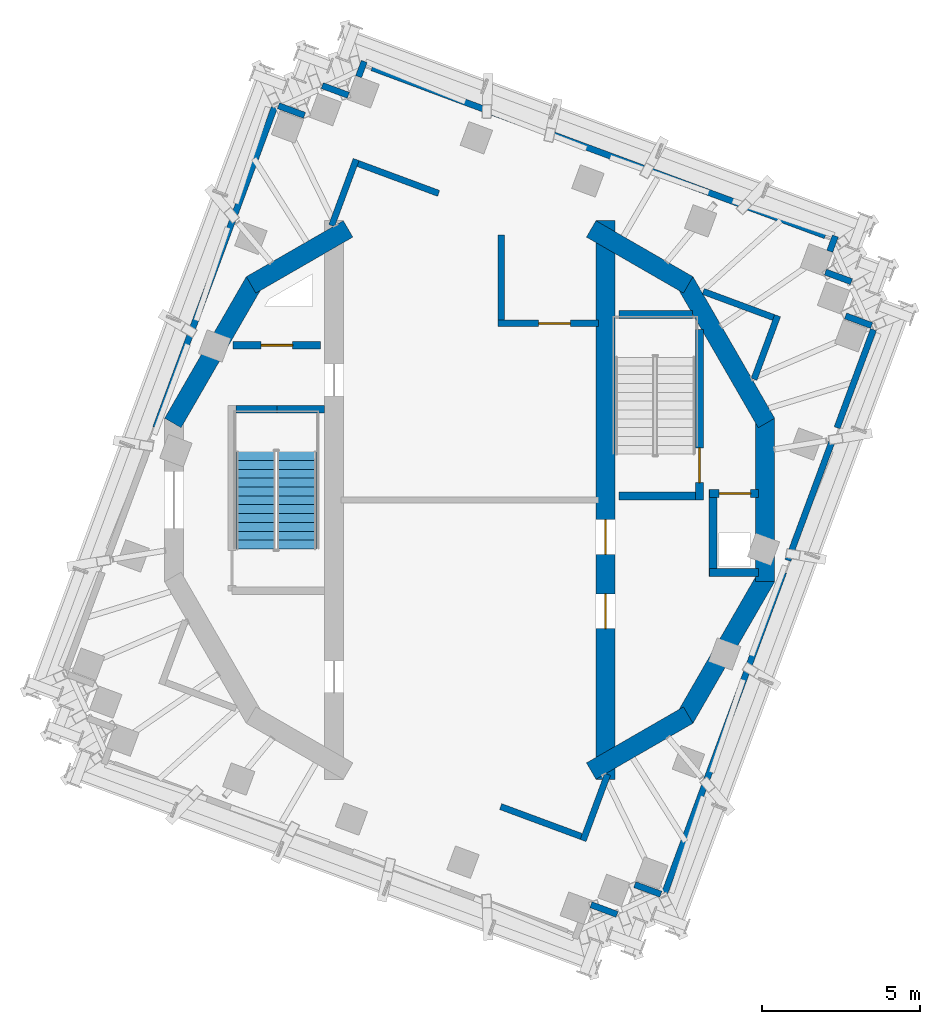
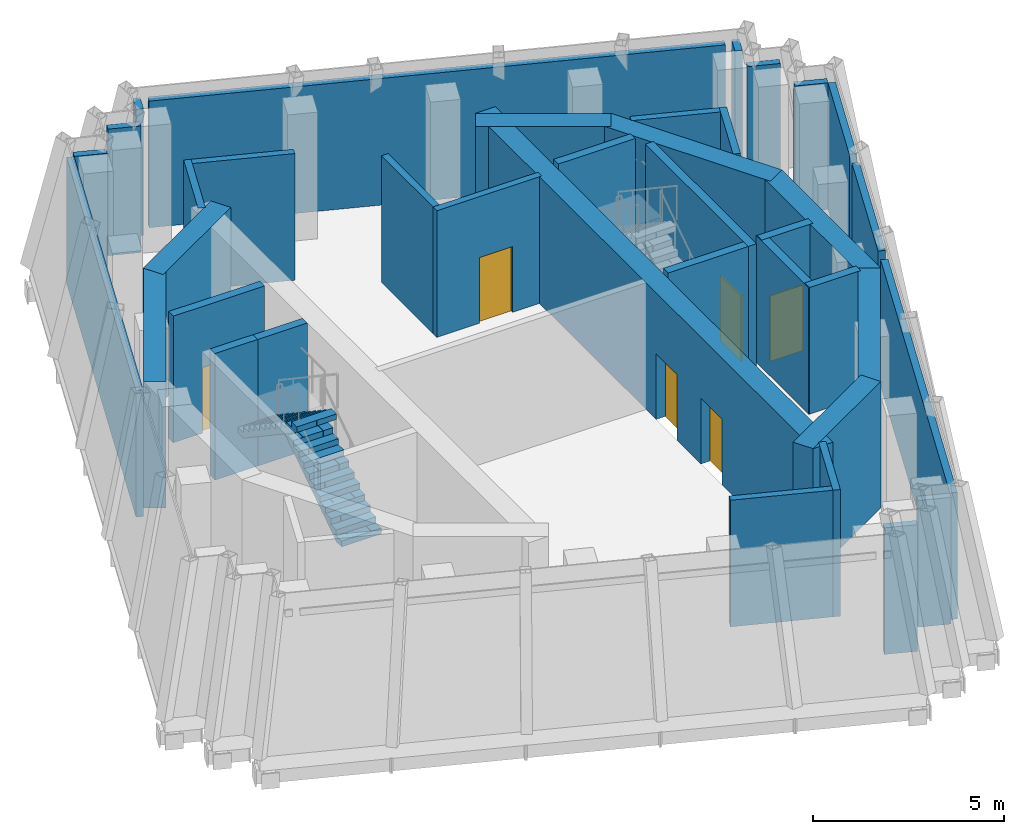
# One storey, part 5 of 11: 38 walls, 6 doors, 2 stair flights, 6 openings, 1 element without a shape of its own.
"""IFC4 building model written with IfcOpenShell, lengths in metres."""

from ifc_helpers import new_model, si_unit, direction, frame, frame_2d, origin, place, context, subcontext, project, spatial, polyline, rectangle, outline, extrude, material, layer, layer_set, type_object, element, fill, aggregate, save


model = new_model("IFC4")

# Units and contexts
model_context = context("Model", 3, precision=1e-05, world=origin(), true_north=direction((0.0, 1.0)))
body_context = subcontext(model_context, "Body", "Model", "MODEL_VIEW")
ifc_project = project(units=[si_unit("LENGTHUNIT", "METRE"), si_unit("AREAUNIT", "SQUARE_METRE"), si_unit("VOLUMEUNIT", "CUBIC_METRE"), si_unit("PLANEANGLEUNIT", "RADIAN"), si_unit("MASSUNIT", "GRAM", prefix="KILO")], contexts=[model_context])

# Site, building, storey
site_placement = place(None, origin())
site = spatial("IfcSite", under=ifc_project, at=site_placement, CompositionType="ELEMENT")
building_placement = place(site_placement, origin())
building = spatial("IfcBuilding", under=site, at=building_placement, Name="Cantera Rosa Tower", CompositionType="ELEMENT")
storey_placement = place(building_placement, frame((0.0, 0.0, 369.699951171875)))
storey = spatial("IfcBuildingStorey", under=building, at=storey_placement, Name="L83", CompositionType="ELEMENT", Elevation=369.699951171875)

# Walls
ifc_material_1 = material(Name="Masonry blockwork", Category="masonry")
ifc_layer_1 = layer(ifc_material_1, 0.199951171875)
ifc_layer_set_1 = layer_set([ifc_layer_1], Name="Blockwork partition 200")
wall_type_1 = type_object("IfcWallType", Name="Blockwork partition 200", PredefinedType="PARTITIONING", material=ifc_layer_set_1)
wall_1_placement = place(storey_placement, frame((4.6669921875, -13.122314453125, 0.0), z_axis=(0.0, 0.0, 1.0), x_axis=(-0.937735373465, 0.347350499283, 0.0)))
element("IfcWall", 1, at=wall_1_placement, inside=storey, type_object=wall_type_1, Name="Partition L83-1", PredefinedType="PARTITIONING", context=body_context, shape_type="SweptSolid", body=[
    extrude(rectangle(XDim=0.8798828125, YDim=0.199951171875, at=frame_2d((0.43994140625, 0.0))), origin(), (0.0, 0.0, 1.0), 4.050048828125),
])
for number, where, z_axis, x_axis, name in (
    (2, (11.40283203125, 7.875, 0.0), (0.0, 0.0, 1.0), (0.347960985741, 0.937509014571, 0.0), "Partition L83-4"),
    (3, (-3.517578125, 13.404052734375, 0.0), (0.0, 0.0, 1.0), (0.347545352018, 0.937663174221, 0.0), "Partition L83-7"),
):
    element("IfcWall", number, at=place(storey_placement, frame(where, z_axis=z_axis, x_axis=x_axis)), inside=storey, type_object=wall_type_1, Name=name, PredefinedType="PARTITIONING", context=body_context, shape_type="SweptSolid", body=[
        extrude(rectangle(XDim=0.516357421875, YDim=0.199951171875, at=frame_2d((0.25830078125, 0.0))), origin(), (0.0, 0.0, 1.0), 4.050048828125),
    ])
wall_2_placement = place(storey_placement, frame((6.054931640625, -12.485107421875, 0.0), z_axis=(0.0, 0.0, 1.0), x_axis=(-0.937644983039, 0.347594427144, 0.0)))
element("IfcWall", 4, at=wall_2_placement, inside=storey, type_object=wall_type_1, Name="Partition L83-8", PredefinedType="PARTITIONING", context=body_context, shape_type="SweptSolid", body=[
    extrude(rectangle(XDim=0.880126953125, YDim=0.199951171875, at=frame_2d((0.43994140625, 0.0))), origin(), (0.0, 0.0, 1.0), 4.050048828125),
])
wall_3_placement = place(storey_placement, frame((-9.940673828125, 2.28759765625, 0.0), z_axis=(0.0, 0.0, 1.0), x_axis=(0.347485703019, 0.937685280997, 0.0)))
element("IfcWall", 5, at=wall_3_placement, inside=storey, type_object=wall_type_1, Name="Partition L83-12", PredefinedType="PARTITIONING", context=body_context, shape_type="SweptSolid", body=[
    extrude(rectangle(XDim=10.812255859375, YDim=0.199951171875, at=frame_2d((5.40625, 0.0))), origin(), (0.0, 0.0, 1.0), 4.050048828125),
])
for number, where, z_axis, x_axis, name in (
    (6, (12.728759765625, 5.524169921875, 0.0), (0.0, 0.0, 1.0), (-0.937644983039, 0.347594427144, 0.0), "Partition L83-13"),
    (7, (-5.229736328125, 12.17919921875, 0.0), (0.0, 0.0, 1.0), (-0.937644983039, 0.347594427144, 0.0), "Partition L83-14"),
    (8, (12.09130859375, 6.912109375, 0.0), (0.0, 0.0, 1.0), (-0.937644983039, 0.347594427144, 0.0), "Partition L83-15"),
):
    element("IfcWall", number, at=place(storey_placement, frame(where, z_axis=z_axis, x_axis=x_axis)), inside=storey, type_object=wall_type_1, Name=name, PredefinedType="PARTITIONING", context=body_context, shape_type="SweptSolid", body=[
        extrude(rectangle(XDim=0.880126953125, YDim=0.199951171875, at=frame_2d((0.43994140625, 0.0))), origin(), (0.0, 0.0, 1.0), 4.050048828125),
    ])
wall_4_placement = place(storey_placement, frame((-3.841796875, 12.816650390625, 0.0), z_axis=(0.0, 0.0, 1.0), x_axis=(-0.937735373465, 0.347350499283, 0.0)))
element("IfcWall", 9, at=wall_4_placement, inside=storey, type_object=wall_type_1, Name="Partition L83-16", PredefinedType="PARTITIONING", context=body_context, shape_type="SweptSolid", body=[
    extrude(rectangle(XDim=0.8798828125, YDim=0.199951171875, at=frame_2d((0.43994140625, 0.0))), origin(), (0.0, 0.0, 1.0), 4.050048828125),
])
wall_5_placement = place(storey_placement, frame((11.266357421875, 8.36962890625, 0.0), z_axis=(0.0, 0.0, 1.0), x_axis=(-0.937688931354, 0.347475852423, 0.0)))
element("IfcWall", 10, at=wall_5_placement, inside=storey, type_object=wall_type_1, Name="Partition L83-17", PredefinedType="PARTITIONING", context=body_context, shape_type="SweptSolid", body=[
    extrude(rectangle(XDim=15.31201171875, YDim=0.199951171875, at=frame_2d((7.656005859375, 0.0))), origin(), (0.0, 0.0, 1.0), 4.050048828125),
])
wall_6_placement = place(storey_placement, frame((6.18359375, -12.426025390625, 0.0), z_axis=(0.0, 0.0, 1.0), x_axis=(0.347485703019, 0.937685280997, 0.0)))
element("IfcWall", 11, at=wall_6_placement, inside=storey, type_object=wall_type_1, Name="Partition L83-18", PredefinedType="PARTITIONING", context=body_context, shape_type="SweptSolid", body=[
    extrude(rectangle(XDim=10.812255859375, YDim=0.199951171875, at=frame_2d((5.40625, 0.0))), origin(), (0.0, 0.0, 1.0), 4.050048828125),
])
wall_7_placement = place(storey_placement, frame((10.07958984375, -1.912353515625, 0.0), z_axis=(0.0, 0.0, 1.0), x_axis=(0.347493685253, 0.937682322916, 0.0)))
element("IfcWall", 12, at=wall_7_placement, inside=storey, type_object=wall_type_1, Name="Partition L83-19", PredefinedType="PARTITIONING", context=body_context, shape_type="SweptSolid", body=[
    extrude(rectangle(XDim=4.0791015625, YDim=0.199951171875, at=frame_2d((2.03955078125, 0.0))), origin(), (0.0, 0.0, 1.0), 4.050048828125),
])
wall_8_placement = place(storey_placement, frame((11.635986328125, 2.28759765625, 0.0), z_axis=(0.0, 0.0, 1.0), x_axis=(0.347496661373, 0.937681219997, 0.0)))
element("IfcWall", 13, at=wall_8_placement, inside=storey, type_object=wall_type_1, Name="Partition L83-20", PredefinedType="PARTITIONING", context=body_context, shape_type="SweptSolid", body=[
    extrude(rectangle(XDim=3.314697265625, YDim=0.199951171875, at=frame_2d((1.6572265625, 0.0))), origin(), (0.0, 0.0, 1.0), 4.050048828125),
])
wall_9_placement = place(storey_placement, frame((9.623779296875, 5.779052734375, 0.0), z_axis=(0.0, 0.0, 1.0), x_axis=(-0.937700349414, 0.347445038399, 0.0)))
element("IfcWall", 14, at=wall_9_placement, inside=storey, type_object=wall_type_1, Name="Partition L83-21", PredefinedType="PARTITIONING", context=body_context, shape_type="SweptSolid", body=[
    extrude(rectangle(XDim=2.373046875, YDim=0.199951171875, at=frame_2d((1.1865234375, 0.0))), origin(), (0.0, 0.0, 1.0), 4.050048828125),
])
wall_10_placement = place(storey_placement, frame((-0.982177734375, 9.709228515625, 0.0), z_axis=(0.0, 0.0, 1.0), x_axis=(-0.937682724109, 0.347492602667, 0.0)))
element("IfcWall", 15, at=wall_10_placement, inside=storey, type_object=wall_type_1, Name="Partition L83-22", PredefinedType="PARTITIONING", context=body_context, shape_type="SweptSolid", body=[
    extrude(rectangle(XDim=2.72119140625, YDim=0.199951171875, at=frame_2d((1.360595703125, 0.0))), origin(), (0.0, 0.0, 1.0), 4.050048828125),
])
wall_11_placement = place(storey_placement, frame((-4.368896484375, 8.688720703125, 0.0), z_axis=(0.0, 0.0, 1.0), x_axis=(0.34733571351, 0.937740850193, 0.0)))
element("IfcWall", 16, at=wall_11_placement, inside=storey, type_object=wall_type_1, Name="Partition L83-24", PredefinedType="PARTITIONING", context=body_context, shape_type="SweptSolid", body=[
    extrude(rectangle(XDim=2.23388671875, YDim=0.199951171875, at=frame_2d((1.116943359375, 0.0))), origin(), (0.0, 0.0, 1.0), 4.050048828125),
])
wall_12_placement = place(storey_placement, frame((3.53369140625, -10.65478515625, 0.0), z_axis=(0.0, 0.0, 1.0), x_axis=(-0.937682724109, 0.347492602667, 0.0)))
element("IfcWall", 17, at=wall_12_placement, inside=storey, type_object=wall_type_1, Name="Partition L83-25", PredefinedType="PARTITIONING", context=body_context, shape_type="SweptSolid", body=[
    extrude(rectangle(XDim=2.72119140625, YDim=0.199951171875, at=frame_2d((1.360595703125, 0.0))), origin(), (0.0, 0.0, 1.0), 4.050048828125),
])
wall_13_placement = place(storey_placement, frame((3.593017578125, -10.783447265625, 0.0), z_axis=(0.0, 0.0, 1.0), x_axis=(0.34733571351, 0.937740850193, 0.0)))
element("IfcWall", 18, at=wall_13_placement, inside=storey, type_object=wall_type_1, Name="Partition L83-27", PredefinedType="PARTITIONING", context=body_context, shape_type="SweptSolid", body=[
    extrude(rectangle(XDim=2.23388671875, YDim=0.199951171875, at=frame_2d((1.116943359375, 0.0))), origin(), (0.0, 0.0, 1.0), 4.050048828125),
])
wall_14_placement = place(storey_placement, frame((9.0048828125, 3.8212890625, 0.0), z_axis=(0.0, 0.0, 1.0), x_axis=(0.347488123432, 0.937684384041, 0.0)))
element("IfcWall", 19, at=wall_14_placement, inside=storey, type_object=wall_type_1, Name="Partition L83-28", PredefinedType="PARTITIONING", context=body_context, shape_type="SweptSolid", body=[
    extrude(rectangle(XDim=2.150634765625, YDim=0.199951171875, at=frame_2d((1.0751953125, 0.0))), origin(), (0.0, 0.0, 1.0), 4.050048828125),
])

# Wall, opening, door
wall_15_placement = place(storey_placement, frame((0.89990234375, 5.593994140625, 0.0), z_axis=(0.0, 0.0, 1.0), x_axis=(1.0, 0.0, 0.0)))
wall_15 = element("IfcWall", 20, at=wall_15_placement, inside=storey, type_object=wall_type_1, Name="Partition L83-STORE-A", PredefinedType="PARTITIONING", context=body_context, shape_type="SweptSolid", body=[
    extrude(rectangle(XDim=3.175048828125, YDim=0.199951171875, at=frame_2d((1.58740234375, 0.0))), origin(), (0.0, 0.0, 1.0), 4.050048828125),
])
opening_1_placement = place(wall_15_placement, frame((1.28759765625, 0.0, 0.0)))
opening_1 = element("IfcOpeningElement", 21, at=opening_1_placement, cuts=wall_15, Name="Opening L83-ST", PredefinedType="OPENING", context=body_context, shape_type="SweptSolid", body=[
    extrude(rectangle(XDim=1.0, YDim=2.10009765625, at=frame_2d((0.5, 1.050048828125))), frame((0.0, 0.10986328125, 0.0), z_axis=(0.0, -1.0, 0.0), x_axis=(1.0, 0.0, 0.0)), (0.0, 0.0, 1.0), 0.219970703125),
])
ifc_material_2 = material(Name="Timber", Category="wood")
door_type_1 = type_object("IfcDoorType", Name="Door 1000x2100", OperationType="NOTDEFINED", PredefinedType="DOOR", material=ifc_material_2)
door_1_placement = place(opening_1_placement, origin())
door_1 = element("IfcDoor", 22, at=door_1_placement, inside=storey, type_object=door_type_1, Name="Door L83-ST", OverallHeight=2.10009765625, OverallWidth=1.0, PredefinedType="DOOR", context=body_context, shape_type="SweptSolid", body=[
    extrude(rectangle(XDim=1.0, YDim=2.10009765625, at=frame_2d((0.5, 1.050048828125))), frame((0.0, 0.02490234375, 0.0), z_axis=(0.0, -1.0, 0.0), x_axis=(1.0, 0.0, 0.0)), (0.0, 0.0, 1.0), 0.050048828125),
])
fill(opening_1, door_1)

# Wall
wall_16_placement = place(storey_placement, frame((1.0, 5.694091796875, 0.0), z_axis=(0.0, 0.0, 1.0), x_axis=(0.0, 1.0, 0.0)))
element("IfcWall", 23, at=wall_16_placement, inside=storey, type_object=wall_type_1, Name="Partition L83-STORE-B", PredefinedType="PARTITIONING", context=body_context, shape_type="SweptSolid", body=[
    extrude(rectangle(XDim=2.699951171875, YDim=0.199951171875, at=frame_2d((1.35009765625, 0.0))), origin(), (0.0, 0.0, 1.0), 4.050048828125),
])

# Wall, opening, door
ifc_material_3 = material(Name="Masonry blockwork", Category="masonry")
ifc_layer_2 = layer(ifc_material_3, 0.25)
ifc_layer_set_2 = layer_set([ifc_layer_2], Name="Fire-rated wall 250")
wall_type_2 = type_object("IfcWallType", Name="Fire-rated wall 250", PredefinedType="PARTITIONING", material=ifc_layer_set_2)
wall_17_placement = place(storey_placement, frame((-7.4873046875, 4.89990234375, 0.0), z_axis=(0.0, 0.0, 1.0), x_axis=(1.0, 0.0, 0.0)))
wall_17 = element("IfcWall", 24, at=wall_17_placement, inside=storey, type_object=wall_type_2, Name="Fire wall L83-SVC", PredefinedType="PARTITIONING", context=body_context, shape_type="SweptSolid", body=[
    extrude(rectangle(XDim=2.76220703125, YDim=0.25, at=frame_2d((1.381103515625, 0.0))), origin(), (0.0, 0.0, 1.0), 4.050048828125),
])
opening_2_placement = place(wall_17_placement, frame((0.881103515625, 0.0, 0.0)))
opening_2 = element("IfcOpeningElement", 25, at=opening_2_placement, cuts=wall_17, Name="Opening L83-SV", PredefinedType="OPENING", context=body_context, shape_type="SweptSolid", body=[
    extrude(rectangle(XDim=1.0, YDim=2.10009765625, at=frame_2d((0.5, 1.050048828125))), frame((0.0, 0.135009765625, 0.0), z_axis=(0.0, -1.0, 0.0), x_axis=(1.0, 0.0, 0.0)), (0.0, 0.0, 1.0), 0.27001953125),
])
ifc_material_4 = material(Name="Steel S355J2 (EN 10025-2)", Category="steel")
door_type_2 = type_object("IfcDoorType", Name="Fire door 1000x2100", OperationType="NOTDEFINED", PredefinedType="DOOR", material=ifc_material_4)
door_2_placement = place(opening_2_placement, origin())
door_2 = element("IfcDoor", 26, at=door_2_placement, inside=storey, type_object=door_type_2, Name="Door L83-SV", OverallHeight=2.10009765625, OverallWidth=1.0, PredefinedType="DOOR", context=body_context, shape_type="SweptSolid", body=[
    extrude(rectangle(XDim=1.0, YDim=2.10009765625, at=frame_2d((0.5, 1.050048828125))), frame((0.0, 0.02490234375, 0.0), z_axis=(0.0, -1.0, 0.0), x_axis=(1.0, 0.0, 0.0)), (0.0, 0.0, 1.0), 0.050048828125),
])
fill(opening_2, door_2)

wall_18_placement = place(storey_placement, frame((7.60009765625, 0.199951171875, 0.0), z_axis=(0.0, 0.0, 1.0), x_axis=(1.0, 0.0, 0.0)))
wall_18 = element("IfcWall", 27, at=wall_18_placement, inside=storey, type_object=wall_type_2, Name="Fire wall L83-RISER-N", PredefinedType="PARTITIONING", context=body_context, shape_type="SweptSolid", body=[
    extrude(rectangle(XDim=1.5498046875, YDim=0.25, at=frame_2d((0.77490234375, 0.0))), origin(), (0.0, 0.0, 1.0), 4.050048828125),
])
opening_3_placement = place(wall_18_placement, frame((0.300048828125, 0.0, 0.0)))
opening_3 = element("IfcOpeningElement", 28, at=opening_3_placement, cuts=wall_18, Name="Opening L83-RF", PredefinedType="OPENING", context=body_context, shape_type="SweptSolid", body=[
    extrude(rectangle(XDim=1.0, YDim=2.10009765625, at=frame_2d((0.5, 1.050048828125))), frame((0.0, 0.135009765625, 0.0), z_axis=(0.0, -1.0, 0.0), x_axis=(1.0, 0.0, 0.0)), (0.0, 0.0, 1.0), 0.27001953125),
])
door_3_placement = place(opening_3_placement, origin())
door_3 = element("IfcDoor", 29, at=door_3_placement, inside=storey, type_object=door_type_2, Name="Door L83-RF", OverallHeight=2.10009765625, OverallWidth=1.0, PredefinedType="DOOR", context=body_context, shape_type="SweptSolid", body=[
    extrude(rectangle(XDim=1.0, YDim=2.10009765625, at=frame_2d((0.5, 1.050048828125))), frame((0.0, 0.02490234375, 0.0), z_axis=(0.0, -1.0, 0.0), x_axis=(1.0, 0.0, 0.0)), (0.0, 0.0, 1.0), 0.050048828125),
])
fill(opening_3, door_3)

# Walls
wall_19_placement = place(storey_placement, frame((7.699951171875, -2.425048828125, 0.0), z_axis=(0.0, 0.0, 1.0), x_axis=(0.0, 1.0, 0.0)))
element("IfcWall", 30, at=wall_19_placement, inside=storey, type_object=wall_type_2, Name="Fire wall L83-RISER-W", PredefinedType="PARTITIONING", context=body_context, shape_type="SweptSolid", body=[
    extrude(rectangle(XDim=2.75, YDim=0.25, at=frame_2d((1.375, 0.0))), origin(), (0.0, 0.0, 1.0), 4.050048828125),
])
wall_20_placement = place(storey_placement, frame((7.60009765625, -2.300048828125, 0.0), z_axis=(0.0, 0.0, 1.0), x_axis=(1.0, 0.0, 0.0)))
element("IfcWall", 31, at=wall_20_placement, inside=storey, type_object=wall_type_2, Name="Fire wall L83-RISER-S", PredefinedType="PARTITIONING", context=body_context, shape_type="SweptSolid", body=[
    extrude(rectangle(XDim=1.5498046875, YDim=0.25, at=frame_2d((0.77490234375, 0.0))), origin(), (0.0, 0.0, 1.0), 4.050048828125),
])
ifc_material_5 = material(Name="Concrete C50/60", Category="concrete")
ifc_layer_3 = layer(ifc_material_5, 0.60009765625)
ifc_layer_set_3 = layer_set([ifc_layer_3], Name="RC CORE WALL 600 C50/60")
wall_type_3 = type_object("IfcWallType", Name="RC CORE WALL 600 C50/60", PredefinedType="SHEAR", material=ifc_layer_set_3)
wall_21_placement = place(storey_placement, frame((-9.3994140625, 2.438232421875, 0.0), z_axis=(0.0, 0.0, 1.0), x_axis=(0.499989188378, 0.866031645787, 0.0)))
element("IfcWall", 32, at=wall_21_placement, inside=storey, type_object=wall_type_3, Name="CW-W4 L83", PredefinedType="SHEAR", context=body_context, shape_type="SweptSolid", body=[
    extrude(rectangle(XDim=5.17626953125, YDim=0.60009765625, at=frame_2d((2.588134765625, 0.0))), origin(), (0.0, 0.0, 1.0), 4.050048828125),
])
for number, where, z_axis, x_axis, name in (
    (33, (-6.921142578125, 6.811279296875, 0.0), (0.0, 0.0, 1.0), (0.866039982607, 0.499974747889, 0.0), "CW-W5 L83"),
    (34, (3.85009765625, 8.584228515625, 0.0), (0.0, 0.0, 1.0), (0.866039982607, -0.499974747889, 0.0), "CW-E1 L83"),
):
    element("IfcWall", number, at=place(storey_placement, frame(where, z_axis=z_axis, x_axis=x_axis)), inside=storey, type_object=wall_type_3, Name=name, PredefinedType="SHEAR", context=body_context, shape_type="SweptSolid", body=[
        extrude(rectangle(XDim=3.546142578125, YDim=0.60009765625, at=frame_2d((1.77294921875, 0.0))), origin(), (0.0, 0.0, 1.0), 4.050048828125),
    ])
for number, where, z_axis, x_axis, name in (
    (35, (6.811279296875, 6.921142578125, 0.0), (0.0, 0.0, 1.0), (0.499989188378, -0.866031645787, 0.0), "CW-E2 L83"),
    (36, (9.359375, 2.588134765625, 0.0), (0.0, 0.0, 1.0), (0.0, -1.0, 0.0), "CW-E3 L83"),
    (37, (9.3994140625, -2.438232421875, 0.0), (0.0, 0.0, 1.0), (-0.499989188378, -0.866031645787, 0.0), "CW-E4 L83"),
):
    element("IfcWall", number, at=place(storey_placement, frame(where, z_axis=z_axis, x_axis=x_axis)), inside=storey, type_object=wall_type_3, Name=name, PredefinedType="SHEAR", context=body_context, shape_type="SweptSolid", body=[
        extrude(rectangle(XDim=5.17626953125, YDim=0.60009765625, at=frame_2d((2.588134765625, 0.0))), origin(), (0.0, 0.0, 1.0), 4.050048828125),
    ])
wall_22_placement = place(storey_placement, frame((6.921142578125, -6.811279296875, 0.0), z_axis=(0.0, 0.0, 1.0), x_axis=(-0.866039982607, -0.499974747889, 0.0)))
element("IfcWall", 38, at=wall_22_placement, inside=storey, type_object=wall_type_3, Name="CW-E5 L83", PredefinedType="SHEAR", context=body_context, shape_type="SweptSolid", body=[
    extrude(rectangle(XDim=3.546142578125, YDim=0.60009765625, at=frame_2d((1.77294921875, 0.0))), origin(), (0.0, 0.0, 1.0), 4.050048828125),
])

# Wall, openings, doors
wall_23_placement = place(storey_placement, frame((4.300048828125, -8.84423828125, 0.0), z_axis=(0.0, 0.0, 1.0), x_axis=(0.0, 1.0, 0.0)))
wall_23 = element("IfcWall", 39, at=wall_23_placement, inside=storey, type_object=wall_type_3, Name="CW-E6 L83", PredefinedType="SHEAR", context=body_context, shape_type="SweptSolid", body=[
    extrude(rectangle(XDim=17.6884765625, YDim=0.60009765625, at=frame_2d((8.84423828125, 0.0))), origin(), (0.0, 0.0, 1.0), 4.050048828125),
])
opening_4_placement = place(wall_23_placement, frame((4.76904296875, 0.0, 0.0)))
opening_4 = element("IfcOpeningElement", 40, at=opening_4_placement, cuts=wall_23, Name="Opening LD-FF1-L83", PredefinedType="OPENING", context=body_context, shape_type="SweptSolid", body=[
    extrude(rectangle(XDim=1.10009765625, YDim=2.10009765625, at=frame_2d((0.550048828125, 1.050048828125))), frame((0.0, 0.31005859375, 0.0), z_axis=(0.0, -1.0, 0.0), x_axis=(1.0, 0.0, 0.0)), (0.0, 0.0, 1.0), 0.6201171875),
])
opening_5_placement = place(wall_23_placement, frame((7.119140625, 0.0, 0.0)))
opening_5 = element("IfcOpeningElement", 41, at=opening_5_placement, cuts=wall_23, Name="Opening LD-FF2-L83", PredefinedType="OPENING", context=body_context, shape_type="SweptSolid", body=[
    extrude(rectangle(XDim=1.10009765625, YDim=2.10009765625, at=frame_2d((0.550048828125, 1.050048828125))), frame((0.0, 0.31005859375, 0.0), z_axis=(0.0, -1.0, 0.0), x_axis=(1.0, 0.0, 0.0)), (0.0, 0.0, 1.0), 0.6201171875),
])
ifc_material_6 = material(Name="Steel S355J2 (EN 10025-2)", Category="steel")
door_type_3 = type_object("IfcDoorType", Name="LANDING DOOR 1100x2100", OperationType="NOTDEFINED", PredefinedType="DOOR", material=ifc_material_6)
door_4_placement = place(opening_4_placement, origin())
door_4 = element("IfcDoor", 42, at=door_4_placement, inside=storey, type_object=door_type_3, Name="LANDING DOOR FF1 L83", OperationType="SLIDING_TO_LEFT", OverallHeight=2.10009765625, OverallWidth=1.10009765625, PredefinedType="DOOR", context=body_context, shape_type="SweptSolid", body=[
    extrude(rectangle(XDim=1.10009765625, YDim=2.10009765625, at=frame_2d((0.550048828125, 1.050048828125))), frame((0.0, 0.02490234375, 0.0), z_axis=(0.0, -1.0, 0.0), x_axis=(1.0, 0.0, 0.0)), (0.0, 0.0, 1.0), 0.050048828125),
])
fill(opening_4, door_4)
door_5_placement = place(opening_5_placement, origin())
door_5 = element("IfcDoor", 43, at=door_5_placement, inside=storey, type_object=door_type_3, Name="LANDING DOOR FF2 L83", OperationType="SLIDING_TO_LEFT", OverallHeight=2.10009765625, OverallWidth=1.10009765625, PredefinedType="DOOR", context=body_context, shape_type="SweptSolid", body=[
    extrude(rectangle(XDim=1.10009765625, YDim=2.10009765625, at=frame_2d((0.550048828125, 1.050048828125))), frame((0.0, 0.02490234375, 0.0), z_axis=(0.0, -1.0, 0.0), x_axis=(1.0, 0.0, 0.0)), (0.0, 0.0, 1.0), 0.050048828125),
])
fill(opening_5, door_5)

# Walls
ifc_material_7 = material(Name="Concrete C50/60", Category="concrete")
ifc_layer_4 = layer(ifc_material_7, 0.25)
ifc_layer_set_4 = layer_set([ifc_layer_4], Name="STAIR WALL 250 H4050")
wall_type_4 = type_object("IfcWallType", Name="STAIR WALL 250 H4050", PredefinedType="SOLIDWALL", material=ifc_layer_set_4)
wall_24_placement = place(storey_placement, frame((-7.39990234375, 2.875, 0.0), z_axis=(0.0, 0.0, 1.0), x_axis=(1.0, 0.0, 0.0)))
element("IfcWall", 44, at=wall_24_placement, inside=storey, type_object=wall_type_4, Name="STAIR WALL ST-71 L83-2", PredefinedType="SOLIDWALL", context=body_context, shape_type="SweptSolid", body=[
    extrude(rectangle(XDim=1.2998046875, YDim=0.25, at=frame_2d((0.64990234375, 0.0))), origin(), (0.0, 0.0, 1.0), 4.050048828125),
])
wall_25_placement = place(storey_placement, frame((4.72509765625, 5.875, 0.0), z_axis=(0.0, 0.0, 1.0), x_axis=(1.0, 0.0, 0.0)))
element("IfcWall", 45, at=wall_25_placement, inside=storey, type_object=wall_type_4, Name="STAIR WALL ST-72 L83-1", PredefinedType="SOLIDWALL", context=body_context, shape_type="SweptSolid", body=[
    extrude(rectangle(XDim=2.324462890625, YDim=0.25, at=frame_2d((1.162109375, 0.0))), origin(), (0.0, 0.0, 1.0), 4.050048828125),
])

# Wall, opening, door
wall_26_placement = place(storey_placement, frame((7.27490234375, 5.40087890625, 0.0), z_axis=(0.0, 0.0, 1.0), x_axis=(0.0, -1.0, 0.0)))
wall_26 = element("IfcWall", 46, at=wall_26_placement, inside=storey, type_object=wall_type_4, Name="STAIR WALL ST-72 L83-2", PredefinedType="SOLIDWALL", context=body_context, shape_type="SweptSolid", body=[
    extrude(rectangle(XDim=5.40087890625, YDim=0.25, at=frame_2d((2.700439453125, 0.0))), origin(), (0.0, 0.0, 1.0), 4.050048828125),
])
opening_6_placement = place(wall_26_placement, frame((3.7509765625, 0.0, 0.0)))
opening_6 = element("IfcOpeningElement", 47, at=opening_6_placement, cuts=wall_26, Name="Opening L83-ST-72", PredefinedType="OPENING", context=body_context, shape_type="SweptSolid", body=[
    extrude(rectangle(XDim=1.10009765625, YDim=2.10009765625, at=frame_2d((0.550048828125, 1.050048828125))), frame((0.0, 0.135009765625, 0.0), z_axis=(0.0, -1.0, 0.0), x_axis=(1.0, 0.0, 0.0)), (0.0, 0.0, 1.0), 0.27001953125),
])
ifc_material_8 = material(Name="Steel S355J2 (EN 10025-2)", Category="steel")
door_type_4 = type_object("IfcDoorType", Name="STAIR DOOR 1100x2100", OperationType="NOTDEFINED", PredefinedType="DOOR", material=ifc_material_8)
door_6_placement = place(opening_6_placement, origin())
door_6 = element("IfcDoor", 48, at=door_6_placement, inside=storey, type_object=door_type_4, Name="DOOR L83-ST-72", OperationType="NOTDEFINED", OverallHeight=2.10009765625, OverallWidth=1.10009765625, PredefinedType="DOOR", context=body_context, shape_type="SweptSolid", body=[
    extrude(rectangle(XDim=1.10009765625, YDim=2.10009765625, at=frame_2d((0.550048828125, 1.050048828125))), frame((0.0, 0.02490234375, 0.0), z_axis=(0.0, -1.0, 0.0), x_axis=(1.0, 0.0, 0.0)), (0.0, 0.0, 1.0), 0.050048828125),
])
fill(opening_6, door_6)

# Walls
wall_27_placement = place(storey_placement, frame((7.14990234375, 0.125, 0.0), z_axis=(0.0, 0.0, 1.0), x_axis=(-1.0, 0.0, 0.0)))
element("IfcWall", 49, at=wall_27_placement, inside=storey, type_object=wall_type_4, Name="STAIR WALL ST-72 L83-3", PredefinedType="SOLIDWALL", context=body_context, shape_type="SweptSolid", body=[
    extrude(rectangle(XDim=2.4248046875, YDim=0.25, at=frame_2d((1.21240234375, 0.0))), origin(), (0.0, 0.0, 1.0), 4.050048828125),
])
wall_28_placement = place(storey_placement, frame((-6.10009765625, 2.875, 0.0), z_axis=(0.0, 0.0, 1.0), x_axis=(1.0, 0.0, 0.0)))
element("IfcWall", 50, at=wall_28_placement, inside=storey, type_object=wall_type_4, Name="STAIR WALL ST-71 L83-2 J", PredefinedType="SOLIDWALL", context=body_context, shape_type="SweptSolid", body=[
    extrude(rectangle(XDim=1.5, YDim=0.25, at=frame_2d((0.75, 0.0))), origin(), (0.0, 0.0, 1.0), 4.050048828125),
])

# Stair, stair flights
ifc_material_9 = material(Name="Concrete C35/45", Category="concrete")
stair_type = type_object("IfcStairType", Name="EXIT STAIR 1200 DOGLEG", PredefinedType="HALF_TURN_STAIR", material=ifc_material_9)
stair_placement = place(storey_placement, origin())
stair = element("IfcStair", 51, at=stair_placement, inside=storey, type_object=stair_type, Name="L83 ST-71", PredefinedType="HALF_TURN_STAIR")
ifc_material_10 = material(Name="Concrete C35/45", Category="concrete")
stair_flight_type = type_object("IfcStairFlightType", Name="STAIR FLIGHT 1200 R24x188", PredefinedType="STRAIGHT", material=ifc_material_10)
stair_flight_1_placement = place(storey_placement, frame((-5.449951171875, -1.550048828125, 0.0), z_axis=(0.0, 0.0, 1.0), x_axis=(0.0, 1.0, 0.0)))
stair_flight_1 = element("IfcStairFlight", 52, at=stair_flight_1_placement, type_object=stair_flight_type, Name="ST-71 flight 1", NumberOfRisers=12, NumberOfTreads=11, PredefinedType="STRAIGHT", RiserHeight=0.1875, TreadLength=0.28, context=body_context, shape_type="SweptSolid", body=[
    extrude(outline(polyline([(0.0, 0.0), (0.0, 0.1875), (0.280029296875, 0.1875), (0.280029296875, 0.375), (0.56005859375, 0.375), (0.56005859375, 0.5625), (0.840087890625, 0.5625), (0.840087890625, 0.75), (1.1201171875, 0.75), (1.1201171875, 0.9375), (1.39990234375, 0.9375), (1.39990234375, 1.125), (1.679931640625, 1.125), (1.679931640625, 1.3125), (1.9599609375, 1.3125), (1.9599609375, 1.5), (2.239990234375, 1.5), (2.239990234375, 1.6875), (2.52001953125, 1.6875), (2.52001953125, 1.875), (2.800048828125, 1.875), (2.800048828125, 2.0625), (3.080078125, 2.0625), (3.080078125, 2.25), (3.080078125, 1.882080078125), (0.26953125, 0.0), (0.0, 0.0)])), frame((0.0, 0.60009765625, 0.0), z_axis=(0.0, -1.0, 0.0), x_axis=(1.0, 0.0, 0.0)), (0.0, 0.0, 1.0), 0.298583984375),
    extrude(outline(polyline([(0.0, 0.0), (0.0, 0.1875), (0.280029296875, 0.1875), (0.280029296875, 0.375), (0.56005859375, 0.375), (0.56005859375, 0.5625), (0.840087890625, 0.5625), (0.840087890625, 0.75), (1.1201171875, 0.75), (1.1201171875, 0.9375), (1.39990234375, 0.9375), (1.39990234375, 1.125), (1.679931640625, 1.125), (1.679931640625, 1.3125), (1.9599609375, 1.3125), (1.9599609375, 1.5), (2.239990234375, 1.5), (2.239990234375, 1.6875), (2.52001953125, 1.6875), (2.52001953125, 1.875), (2.800048828125, 1.875), (2.800048828125, 2.0625), (3.080078125, 2.0625), (3.080078125, 2.25), (3.080078125, 1.882080078125), (0.26953125, 0.0), (0.0, 0.0)])), frame((0.0, 0.29931640625, 0.0), z_axis=(0.0, -1.0, 0.0), x_axis=(1.0, 0.0, 0.0)), (0.0, 0.0, 1.0), 0.298583984375),
    extrude(outline(polyline([(0.0, 0.0), (0.0, 0.1875), (0.280029296875, 0.1875), (0.280029296875, 0.375), (0.56005859375, 0.375), (0.56005859375, 0.5625), (0.840087890625, 0.5625), (0.840087890625, 0.75), (1.1201171875, 0.75), (1.1201171875, 0.9375), (1.39990234375, 0.9375), (1.39990234375, 1.125), (1.679931640625, 1.125), (1.679931640625, 1.3125), (1.9599609375, 1.3125), (1.9599609375, 1.5), (2.239990234375, 1.5), (2.239990234375, 1.6875), (2.52001953125, 1.6875), (2.52001953125, 1.875), (2.800048828125, 1.875), (2.800048828125, 2.0625), (3.080078125, 2.0625), (3.080078125, 2.25), (3.080078125, 1.882080078125), (0.26953125, 0.0), (0.0, 0.0)])), frame((0.0, -0.0009765625, 0.0), z_axis=(0.0, -1.0, 0.0), x_axis=(1.0, 0.0, 0.0)), (0.0, 0.0, 1.0), 0.298583984375),
    extrude(outline(polyline([(0.0, 0.0), (0.0, 0.1875), (0.280029296875, 0.1875), (0.280029296875, 0.375), (0.56005859375, 0.375), (0.56005859375, 0.5625), (0.840087890625, 0.5625), (0.840087890625, 0.75), (1.1201171875, 0.75), (1.1201171875, 0.9375), (1.39990234375, 0.9375), (1.39990234375, 1.125), (1.679931640625, 1.125), (1.679931640625, 1.3125), (1.9599609375, 1.3125), (1.9599609375, 1.5), (2.239990234375, 1.5), (2.239990234375, 1.6875), (2.52001953125, 1.6875), (2.52001953125, 1.875), (2.800048828125, 1.875), (2.800048828125, 2.0625), (3.080078125, 2.0625), (3.080078125, 2.25), (3.080078125, 1.882080078125), (0.26953125, 0.0), (0.0, 0.0)])), frame((0.0, -0.3017578125, 0.0), z_axis=(0.0, -1.0, 0.0), x_axis=(1.0, 0.0, 0.0)), (0.0, 0.0, 1.0), 0.298583984375),
])
stair_flight_2_placement = place(storey_placement, frame((-6.800048828125, 1.530029296875, 2.25), z_axis=(0.0, 0.0, 1.0), x_axis=(0.0, -1.0, 0.0)))
stair_flight_2 = element("IfcStairFlight", 53, at=stair_flight_2_placement, type_object=stair_flight_type, Name="ST-71 flight 2", NumberOfRisers=12, NumberOfTreads=11, PredefinedType="STRAIGHT", RiserHeight=0.1875, TreadLength=0.28, context=body_context, shape_type="SweptSolid", body=[
    extrude(outline(polyline([(0.0, 0.0), (0.0, 0.1875), (0.280029296875, 0.1875), (0.280029296875, 0.375), (0.56005859375, 0.375), (0.56005859375, 0.5625), (0.840087890625, 0.5625), (0.840087890625, 0.75), (1.1201171875, 0.75), (1.1201171875, 0.9375), (1.39990234375, 0.9375), (1.39990234375, 1.125), (1.679931640625, 1.125), (1.679931640625, 1.3125), (1.9599609375, 1.3125), (1.9599609375, 1.5), (2.239990234375, 1.5), (2.239990234375, 1.6875), (2.52001953125, 1.6875), (2.52001953125, 1.875), (2.800048828125, 1.875), (2.800048828125, 2.0625), (3.080078125, 2.0625), (3.080078125, 2.25), (3.080078125, 1.882080078125), (0.26953125, 0.0), (0.0, 0.0)])), frame((0.0, 0.60009765625, 0.0), z_axis=(0.0, -1.0, 0.0), x_axis=(1.0, 0.0, 0.0)), (0.0, 0.0, 1.0), 0.298583984375),
    extrude(outline(polyline([(0.0, 0.0), (0.0, 0.1875), (0.280029296875, 0.1875), (0.280029296875, 0.375), (0.56005859375, 0.375), (0.56005859375, 0.5625), (0.840087890625, 0.5625), (0.840087890625, 0.75), (1.1201171875, 0.75), (1.1201171875, 0.9375), (1.39990234375, 0.9375), (1.39990234375, 1.125), (1.679931640625, 1.125), (1.679931640625, 1.3125), (1.9599609375, 1.3125), (1.9599609375, 1.5), (2.239990234375, 1.5), (2.239990234375, 1.6875), (2.52001953125, 1.6875), (2.52001953125, 1.875), (2.800048828125, 1.875), (2.800048828125, 2.0625), (3.080078125, 2.0625), (3.080078125, 2.25), (3.080078125, 1.882080078125), (0.26953125, 0.0), (0.0, 0.0)])), frame((0.0, 0.29931640625, 0.0), z_axis=(0.0, -1.0, 0.0), x_axis=(1.0, 0.0, 0.0)), (0.0, 0.0, 1.0), 0.298583984375),
    extrude(outline(polyline([(0.0, 0.0), (0.0, 0.1875), (0.280029296875, 0.1875), (0.280029296875, 0.375), (0.56005859375, 0.375), (0.56005859375, 0.5625), (0.840087890625, 0.5625), (0.840087890625, 0.75), (1.1201171875, 0.75), (1.1201171875, 0.9375), (1.39990234375, 0.9375), (1.39990234375, 1.125), (1.679931640625, 1.125), (1.679931640625, 1.3125), (1.9599609375, 1.3125), (1.9599609375, 1.5), (2.239990234375, 1.5), (2.239990234375, 1.6875), (2.52001953125, 1.6875), (2.52001953125, 1.875), (2.800048828125, 1.875), (2.800048828125, 2.0625), (3.080078125, 2.0625), (3.080078125, 2.25), (3.080078125, 1.882080078125), (0.26953125, 0.0), (0.0, 0.0)])), frame((0.0, -0.0009765625, 0.0), z_axis=(0.0, -1.0, 0.0), x_axis=(1.0, 0.0, 0.0)), (0.0, 0.0, 1.0), 0.298583984375),
    extrude(outline(polyline([(0.0, 0.0), (0.0, 0.1875), (0.280029296875, 0.1875), (0.280029296875, 0.375), (0.56005859375, 0.375), (0.56005859375, 0.5625), (0.840087890625, 0.5625), (0.840087890625, 0.75), (1.1201171875, 0.75), (1.1201171875, 0.9375), (1.39990234375, 0.9375), (1.39990234375, 1.125), (1.679931640625, 1.125), (1.679931640625, 1.3125), (1.9599609375, 1.3125), (1.9599609375, 1.5), (2.239990234375, 1.5), (2.239990234375, 1.6875), (2.52001953125, 1.6875), (2.52001953125, 1.875), (2.800048828125, 1.875), (2.800048828125, 2.0625), (3.080078125, 2.0625), (3.080078125, 2.25), (3.080078125, 1.882080078125), (0.26953125, 0.0), (0.0, 0.0)])), frame((0.0, -0.3017578125, 0.0), z_axis=(0.0, -1.0, 0.0), x_axis=(1.0, 0.0, 0.0)), (0.0, 0.0, 1.0), 0.298583984375),
])
aggregate(stair, [stair_flight_1, stair_flight_2])

save(model, "model.ifc")
